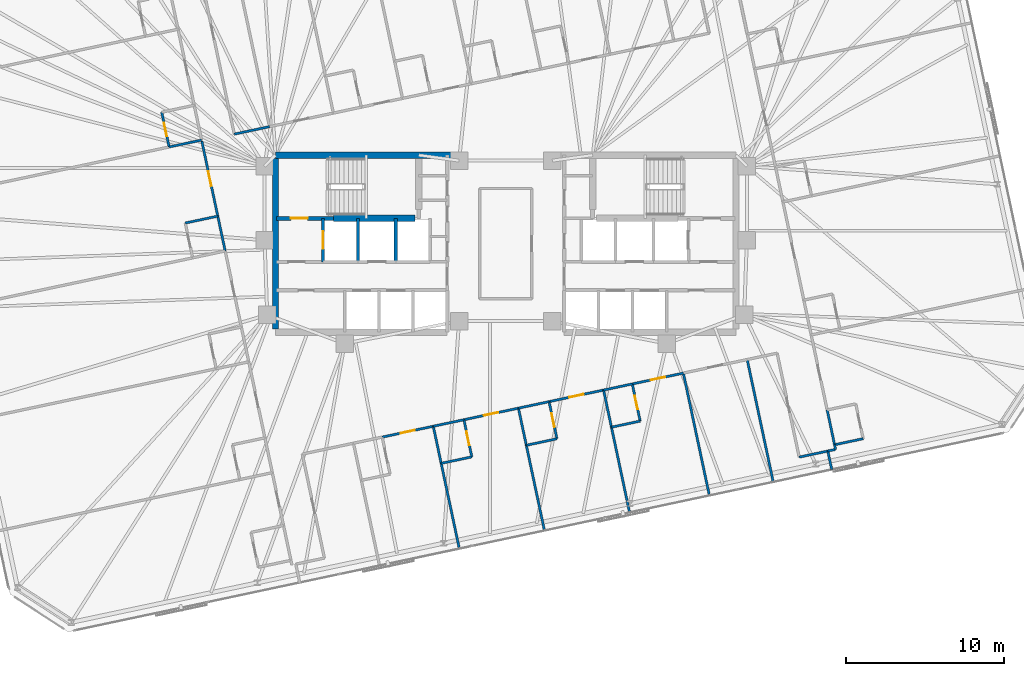
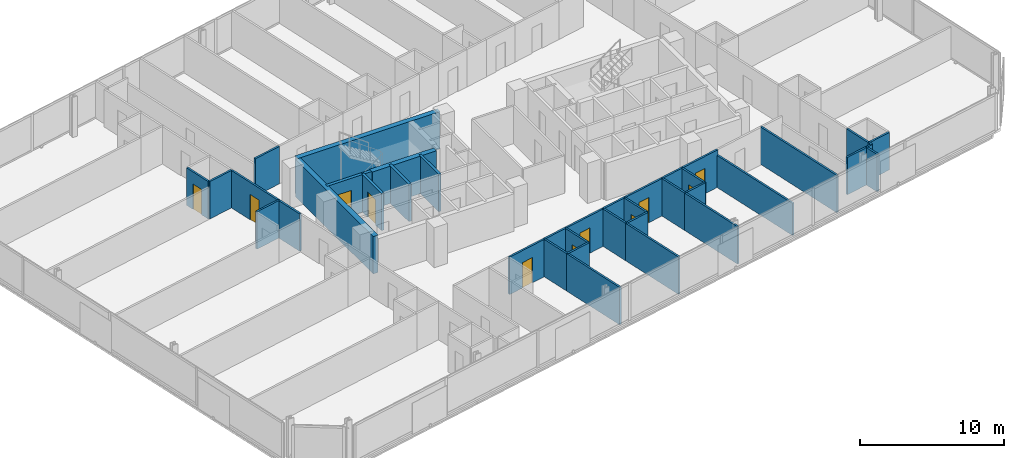
# One storey, part 15 of 21: 40 walls, 11 doors, 11 openings.
"""IFC4 building model written with IfcOpenShell, lengths in metres."""

from ifc_helpers import new_model, si_unit, direction, frame, frame_2d, origin, place, context, subcontext, project, spatial, rectangle, extrude, material, layer, layer_set, type_object, element, fill, save


model = new_model("IFC4")

# Units and contexts
model_context = context("Model", 3, precision=1e-05, world=origin(), true_north=direction((0.0, 1.0)))
body_context = subcontext(model_context, "Body", "Model", "MODEL_VIEW")
ifc_project = project(units=[si_unit("LENGTHUNIT", "METRE"), si_unit("AREAUNIT", "SQUARE_METRE"), si_unit("VOLUMEUNIT", "CUBIC_METRE"), si_unit("PLANEANGLEUNIT", "RADIAN"), si_unit("MASSUNIT", "GRAM", prefix="KILO")], contexts=[model_context])

# Site, building, storey
site_placement = place(None, origin())
site = spatial("IfcSite", under=ifc_project, at=site_placement, CompositionType="ELEMENT")
building_placement = place(site_placement, origin())
building = spatial("IfcBuilding", under=site, at=building_placement, Name="Menara Jurai Vektor", CompositionType="ELEMENT")
storey_placement = place(building_placement, frame((0.0, 0.0, 165.0)))
storey = spatial("IfcBuildingStorey", under=building, at=storey_placement, Name="L42", CompositionType="ELEMENT", Elevation=165.0)

# Wall, opening, door
ifc_material_1 = material(Name="Concrete C40/50", Category="concrete")
ifc_layer_1 = layer(ifc_material_1, 0.25)
ifc_layer_set_1 = layer_set([ifc_layer_1], Name="Concrete C40/50")
wall_type_1 = type_object("IfcWallType", Name="INT-WALL-CORE-250", PredefinedType="STANDARD", material=ifc_layer_set_1)
wall_1_placement = place(storey_placement, frame((-14.5, 1.60009765625, 0.0), z_axis=(0.0, 0.0, 1.0), x_axis=(1.0, 0.0, 0.0)))
wall_1 = element("IfcWall", 1, at=wall_1_placement, inside=storey, type_object=wall_type_1, Name="Interior Wall IW-250 L42", PredefinedType="STANDARD", context=body_context, shape_type="SweptSolid", body=[
    extrude(rectangle(XDim=3.60009765625, YDim=0.25, at=frame_2d((1.800048828125, 0.0))), origin(), (0.0, 0.0, 1.0), 3.175048828125),
])
opening_1_placement = place(wall_1_placement, frame((0.919921875, 0.0, 0.0)))
opening_1 = element("IfcOpeningElement", 2, at=opening_1_placement, cuts=wall_1, Name="Opening D-L42-ST1", PredefinedType="OPENING", context=body_context, shape_type="SweptSolid", body=[
    extrude(rectangle(XDim=1.050048828125, YDim=2.14990234375, at=frame_2d((0.52490234375, 1.074951171875))), frame((0.0, 0.135009765625, 0.0), z_axis=(0.0, -1.0, 0.0), x_axis=(1.0, 0.0, 0.0)), (0.0, 0.0, 1.0), 0.27001953125),
])
ifc_material_2 = material(Name="Fire-Rated Steel Door", Category="steel")
door_type_1 = type_object("IfcDoorType", Name="DR-STAIR-1050", OperationType="NOTDEFINED", PredefinedType="DOOR", material=ifc_material_2)
door_1_placement = place(opening_1_placement, origin())
door_1 = element("IfcDoor", 3, at=door_1_placement, inside=storey, type_object=door_type_1, Name="Exit Stair ST1 Door L42", OperationType="SINGLE_SWING_RIGHT", OverallHeight=2.14990234375, OverallWidth=1.050048828125, PredefinedType="DOOR", context=body_context, shape_type="SweptSolid", body=[
    extrude(rectangle(XDim=1.050048828125, YDim=2.14990234375, at=frame_2d((0.52490234375, 1.074951171875))), frame((0.0, 0.02490234375, 0.0), z_axis=(0.0, -1.0, 0.0), x_axis=(1.0, 0.0, 0.0)), (0.0, 0.0, 1.0), 0.050048828125),
])
fill(opening_1, door_1)

wall_2_placement = place(storey_placement, frame((-11.550048828125, -1.14990234375, 0.0), z_axis=(0.0, 0.0, 1.0), x_axis=(0.0, 1.0, 0.0)))
wall_2 = element("IfcWall", 4, at=wall_2_placement, inside=storey, type_object=wall_type_1, Name="Interior Wall IW-250 L42", PredefinedType="STANDARD", context=body_context, shape_type="SweptSolid", body=[
    extrude(rectangle(XDim=2.75, YDim=0.199951171875, at=frame_2d((1.375, 0.0))), origin(), (0.0, 0.0, 1.0), 3.175048828125),
])
opening_2_placement = place(wall_2_placement, frame((0.824951171875, 0.0, 0.0)))
opening_2 = element("IfcOpeningElement", 5, at=opening_2_placement, cuts=wall_2, Name="Opening LD-L42-FL1", PredefinedType="OPENING", context=body_context, shape_type="SweptSolid", body=[
    extrude(rectangle(XDim=1.10009765625, YDim=2.14990234375, at=frame_2d((0.550048828125, 1.074951171875))), frame((0.0, 0.10986328125, 0.0), z_axis=(0.0, -1.0, 0.0), x_axis=(1.0, 0.0, 0.0)), (0.0, 0.0, 1.0), 0.219970703125),
])
ifc_material_3 = material(Name="Stainless Steel Sliding Lift Landing Door", Category="steel")
door_type_2 = type_object("IfcDoorType", Name="DR-LIFT-FIRE-1100", OperationType="NOTDEFINED", PredefinedType="DOOR", material=ifc_material_3)
door_2_placement = place(opening_2_placement, origin())
door_2 = element("IfcDoor", 6, at=door_2_placement, inside=storey, type_object=door_type_2, Name="Lift Landing Door FL1 L42", OperationType="SLIDING_TO_RIGHT", OverallHeight=2.14990234375, OverallWidth=1.10009765625, PredefinedType="DOOR", context=body_context, shape_type="SweptSolid", body=[
    extrude(rectangle(XDim=1.10009765625, YDim=2.14990234375, at=frame_2d((0.550048828125, 1.074951171875))), frame((0.0, 0.02490234375, 0.0), z_axis=(0.0, -1.0, 0.0), x_axis=(1.0, 0.0, 0.0)), (0.0, 0.0, 1.0), 0.050048828125),
])
fill(opening_2, door_2)

# Walls
wall_3_placement = place(storey_placement, frame((-9.35009765625, -1.14990234375, 0.0), z_axis=(0.0, 0.0, 1.0), x_axis=(0.0, 1.0, 0.0)))
element("IfcWall", 7, at=wall_3_placement, inside=storey, type_object=wall_type_1, Name="Interior Wall IW-250 L42", PredefinedType="STANDARD", context=body_context, shape_type="SweptSolid", body=[
    extrude(rectangle(XDim=2.75, YDim=0.199951171875, at=frame_2d((1.375, 0.0))), origin(), (0.0, 0.0, 1.0), 3.175048828125),
])
ifc_material_4 = material(Name="Gypsum Fireboard Partition", Category="gypsum")
ifc_layer_2 = layer(ifc_material_4, 0.14990234375)
ifc_layer_set_2 = layer_set([ifc_layer_2], Name="Gypsum Fireboard Partition")
wall_type_2 = type_object("IfcWallType", Name="INT-WALL-CORR-150", PredefinedType="PARTITIONING", material=ifc_layer_set_2)
wall_4_placement = place(storey_placement, frame((-17.162353515625, 6.92578125, 0.0), z_axis=(0.0, 0.0, 1.0), x_axis=(0.978124500572, 0.208020338863, 0.0)))
element("IfcWall", 8, at=wall_4_placement, inside=storey, type_object=wall_type_2, Name="Interior Wall IW-150 L42", PredefinedType="PARTITIONING", context=body_context, shape_type="SweptSolid", body=[
    extrude(rectangle(XDim=2.27685546875, YDim=0.14990234375, at=frame_2d((1.138427734375, 0.0))), origin(), (0.0, 0.0, 1.0), 3.175048828125),
])

# Wall, opening, door
wall_5_placement = place(storey_placement, frame((-7.80859375, -12.23291015625, 0.0), z_axis=(0.0, 0.0, 1.0), x_axis=(0.97814625873, 0.20791800435, 0.0)))
wall_5 = element("IfcWall", 9, at=wall_5_placement, inside=storey, type_object=wall_type_2, Name="Interior Wall IW-150 L42", PredefinedType="PARTITIONING", context=body_context, shape_type="SweptSolid", body=[
    extrude(rectangle(XDim=3.302001953125, YDim=0.14990234375, at=frame_2d((1.65087890625, 0.0))), origin(), (0.0, 0.0, 1.0), 3.175048828125),
])
opening_3_placement = place(wall_5_placement, frame((1.19091796875, 0.0, 0.0)))
opening_3 = element("IfcOpeningElement", 10, at=opening_3_placement, cuts=wall_5, Name="Opening D42-22", PredefinedType="OPENING", context=body_context, shape_type="SweptSolid", body=[
    extrude(rectangle(XDim=0.919921875, YDim=2.14990234375, at=frame_2d((0.4599609375, 1.074951171875))), frame((0.0, 0.0849609375, 0.0), z_axis=(0.0, -1.0, 0.0), x_axis=(1.0, 0.0, 0.0)), (0.0, 0.0, 1.0), 0.169921875),
])
ifc_material_5 = material(Name="Solid Core Timber Fire Door", Category="wood")
door_type_3 = type_object("IfcDoorType", Name="DR-ENTRY-950", OperationType="NOTDEFINED", PredefinedType="DOOR", material=ifc_material_5)
door_3_placement = place(opening_3_placement, origin())
door_3 = element("IfcDoor", 11, at=door_3_placement, inside=storey, type_object=door_type_3, Name="Interior Door D42-22", OperationType="SINGLE_SWING_LEFT", OverallHeight=2.14990234375, OverallWidth=0.919921875, PredefinedType="DOOR", context=body_context, shape_type="SweptSolid", body=[
    extrude(rectangle(XDim=0.919921875, YDim=2.14990234375, at=frame_2d((0.4599609375, 1.074951171875))), frame((0.0, 0.02490234375, 0.0), z_axis=(0.0, -1.0, 0.0), x_axis=(1.0, 0.0, 0.0)), (0.0, 0.0, 1.0), 0.050048828125),
])
fill(opening_3, door_3)

wall_6_placement = place(storey_placement, frame((-2.64111328125, -11.134521484375, 0.0), z_axis=(0.0, 0.0, 1.0), x_axis=(0.978150924733, 0.207896052016, 0.0)))
wall_6 = element("IfcWall", 12, at=wall_6_placement, inside=storey, type_object=wall_type_2, Name="Interior Wall IW-150 L42", PredefinedType="PARTITIONING", context=body_context, shape_type="SweptSolid", body=[
    extrude(rectangle(XDim=3.52294921875, YDim=0.14990234375, at=frame_2d((1.761474609375, 0.0))), origin(), (0.0, 0.0, 1.0), 3.175048828125),
])
opening_4_placement = place(wall_6_placement, frame((1.301513671875, 0.0, 0.0)))
opening_4 = element("IfcOpeningElement", 13, at=opening_4_placement, cuts=wall_6, Name="Opening D42-24", PredefinedType="OPENING", context=body_context, shape_type="SweptSolid", body=[
    extrude(rectangle(XDim=0.919921875, YDim=2.14990234375, at=frame_2d((0.4599609375, 1.074951171875))), frame((0.0, 0.0849609375, 0.0), z_axis=(0.0, -1.0, 0.0), x_axis=(1.0, 0.0, 0.0)), (0.0, 0.0, 1.0), 0.169921875),
])
door_4_placement = place(opening_4_placement, origin())
door_4 = element("IfcDoor", 14, at=door_4_placement, inside=storey, type_object=door_type_3, Name="Interior Door D42-24", OperationType="SINGLE_SWING_LEFT", OverallHeight=2.14990234375, OverallWidth=0.919921875, PredefinedType="DOOR", context=body_context, shape_type="SweptSolid", body=[
    extrude(rectangle(XDim=0.919921875, YDim=2.14990234375, at=frame_2d((0.4599609375, 1.074951171875))), frame((0.0, 0.02490234375, 0.0), z_axis=(0.0, -1.0, 0.0), x_axis=(1.0, 0.0, 0.0)), (0.0, 0.0, 1.0), 0.050048828125),
])
fill(opening_4, door_4)

# Wall
wall_7_placement = place(storey_placement, frame((-4.578857421875, -11.54638671875, 0.0), z_axis=(0.0, 0.0, 1.0), x_axis=(0.978149140323, 0.20790444749, 0.0)))
element("IfcWall", 15, at=wall_7_placement, inside=storey, type_object=wall_type_2, Name="Interior Wall IW-150 L42", PredefinedType="PARTITIONING", context=body_context, shape_type="SweptSolid", body=[
    extrude(rectangle(XDim=1.98095703125, YDim=0.14990234375, at=frame_2d((0.990478515625, 0.0))), origin(), (0.0, 0.0, 1.0), 3.175048828125),
])

# Wall, opening, door
wall_8_placement = place(storey_placement, frame((2.74267578125, -9.990234375, 0.0), z_axis=(0.0, 0.0, 1.0), x_axis=(0.978153036861, 0.207886114205, 0.0)))
wall_8 = element("IfcWall", 16, at=wall_8_placement, inside=storey, type_object=wall_type_2, Name="Interior Wall IW-150 L42", PredefinedType="PARTITIONING", context=body_context, shape_type="SweptSolid", body=[
    extrude(rectangle(XDim=3.52197265625, YDim=0.14990234375, at=frame_2d((1.760986328125, 0.0))), origin(), (0.0, 0.0, 1.0), 3.175048828125),
])
opening_5_placement = place(wall_8_placement, frame((1.301025390625, 0.0, 0.0)))
opening_5 = element("IfcOpeningElement", 17, at=opening_5_placement, cuts=wall_8, Name="Opening D42-26", PredefinedType="OPENING", context=body_context, shape_type="SweptSolid", body=[
    extrude(rectangle(XDim=0.919921875, YDim=2.14990234375, at=frame_2d((0.4599609375, 1.074951171875))), frame((0.0, 0.0849609375, 0.0), z_axis=(0.0, -1.0, 0.0), x_axis=(1.0, 0.0, 0.0)), (0.0, 0.0, 1.0), 0.169921875),
])
door_5_placement = place(opening_5_placement, origin())
door_5 = element("IfcDoor", 18, at=door_5_placement, inside=storey, type_object=door_type_3, Name="Interior Door D42-26", OperationType="SINGLE_SWING_LEFT", OverallHeight=2.14990234375, OverallWidth=0.919921875, PredefinedType="DOOR", context=body_context, shape_type="SweptSolid", body=[
    extrude(rectangle(XDim=0.919921875, YDim=2.14990234375, at=frame_2d((0.4599609375, 1.074951171875))), frame((0.0, 0.02490234375, 0.0), z_axis=(0.0, -1.0, 0.0), x_axis=(1.0, 0.0, 0.0)), (0.0, 0.0, 1.0), 0.050048828125),
])
fill(opening_5, door_5)

# Wall
wall_9_placement = place(storey_placement, frame((0.804931640625, -10.402099609375, 0.0), z_axis=(0.0, 0.0, 1.0), x_axis=(0.978149140323, 0.20790444749, 0.0)))
element("IfcWall", 19, at=wall_9_placement, inside=storey, type_object=wall_type_2, Name="Interior Wall IW-150 L42", PredefinedType="PARTITIONING", context=body_context, shape_type="SweptSolid", body=[
    extrude(rectangle(XDim=1.98095703125, YDim=0.14990234375, at=frame_2d((0.990478515625, 0.0))), origin(), (0.0, 0.0, 1.0), 3.175048828125),
])

# Wall, opening, door
wall_10_placement = place(storey_placement, frame((8.004150390625, -8.871826171875, 0.0), z_axis=(0.0, 0.0, 1.0), x_axis=(0.97814625873, 0.20791800435, 0.0)))
wall_10 = element("IfcWall", 20, at=wall_10_placement, inside=storey, type_object=wall_type_2, Name="Interior Wall IW-150 L42", PredefinedType="PARTITIONING", context=body_context, shape_type="SweptSolid", body=[
    extrude(rectangle(XDim=3.302001953125, YDim=0.14990234375, at=frame_2d((1.65087890625, 0.0))), origin(), (0.0, 0.0, 1.0), 3.175048828125),
])
opening_6_placement = place(wall_10_placement, frame((1.19091796875, 0.0, 0.0)))
opening_6 = element("IfcOpeningElement", 21, at=opening_6_placement, cuts=wall_10, Name="Opening D42-28", PredefinedType="OPENING", context=body_context, shape_type="SweptSolid", body=[
    extrude(rectangle(XDim=0.919921875, YDim=2.14990234375, at=frame_2d((0.4599609375, 1.074951171875))), frame((0.0, 0.0849609375, 0.0), z_axis=(0.0, -1.0, 0.0), x_axis=(1.0, 0.0, 0.0)), (0.0, 0.0, 1.0), 0.169921875),
])
door_6_placement = place(opening_6_placement, origin())
door_6 = element("IfcDoor", 22, at=door_6_placement, inside=storey, type_object=door_type_3, Name="Interior Door D42-28", OperationType="SINGLE_SWING_LEFT", OverallHeight=2.14990234375, OverallWidth=0.919921875, PredefinedType="DOOR", context=body_context, shape_type="SweptSolid", body=[
    extrude(rectangle(XDim=0.919921875, YDim=2.14990234375, at=frame_2d((0.4599609375, 1.074951171875))), frame((0.0, 0.02490234375, 0.0), z_axis=(0.0, -1.0, 0.0), x_axis=(1.0, 0.0, 0.0)), (0.0, 0.0, 1.0), 0.050048828125),
])
fill(opening_6, door_6)

# Walls
wall_11_placement = place(storey_placement, frame((6.187744140625, -9.258056640625, 0.0), z_axis=(0.0, 0.0, 1.0), x_axis=(0.978132112624, 0.207984543303, 0.0)))
element("IfcWall", 23, at=wall_11_placement, inside=storey, type_object=wall_type_2, Name="Interior Wall IW-150 L42", PredefinedType="PARTITIONING", context=body_context, shape_type="SweptSolid", body=[
    extrude(rectangle(XDim=1.85693359375, YDim=0.14990234375, at=frame_2d((0.928466796875, 0.0))), origin(), (0.0, 0.0, 1.0), 3.175048828125),
])
wall_12_placement = place(storey_placement, frame((18.5595703125, -13.498291015625, 0.0), z_axis=(0.0, 0.0, 1.0), x_axis=(0.978160192495, 0.207852442415, 0.0)))
element("IfcWall", 24, at=wall_12_placement, inside=storey, type_object=wall_type_2, Name="Interior Wall IW-150 L42", PredefinedType="PARTITIONING", context=body_context, shape_type="SweptSolid", body=[
    extrude(rectangle(XDim=1.849853515625, YDim=0.14990234375, at=frame_2d((0.9248046875, 0.0))), origin(), (0.0, 0.0, 1.0), 3.175048828125),
])

# Wall, opening, door
wall_13_placement = place(storey_placement, frame((-18.20703125, 1.740478515625, 0.0), z_axis=(0.0, 0.0, 1.0), x_axis=(-0.20793874598, 0.97814184959, 0.0)))
wall_13 = element("IfcWall", 25, at=wall_13_placement, inside=storey, type_object=wall_type_2, Name="Interior Wall IW-150 L42", PredefinedType="PARTITIONING", context=body_context, shape_type="SweptSolid", body=[
    extrude(rectangle(XDim=4.85498046875, YDim=0.14990234375, at=frame_2d((2.427490234375, 0.0))), origin(), (0.0, 0.0, 1.0), 3.175048828125),
])
opening_7_placement = place(wall_13_placement, frame((1.952392578125, 0.0, 0.0)))
opening_7 = element("IfcOpeningElement", 26, at=opening_7_placement, cuts=wall_13, Name="Opening D42-38", PredefinedType="OPENING", context=body_context, shape_type="SweptSolid", body=[
    extrude(rectangle(XDim=0.949951171875, YDim=2.14990234375, at=frame_2d((0.47509765625, 1.074951171875))), frame((0.0, 0.0849609375, 0.0), z_axis=(0.0, -1.0, 0.0), x_axis=(1.0, 0.0, 0.0)), (0.0, 0.0, 1.0), 0.169921875),
])
door_7_placement = place(opening_7_placement, origin())
door_7 = element("IfcDoor", 27, at=door_7_placement, inside=storey, type_object=door_type_3, Name="Interior Door D42-38", OperationType="SINGLE_SWING_LEFT", OverallHeight=2.14990234375, OverallWidth=0.949951171875, PredefinedType="DOOR", context=body_context, shape_type="SweptSolid", body=[
    extrude(rectangle(XDim=0.949951171875, YDim=2.14990234375, at=frame_2d((0.47509765625, 1.074951171875))), frame((0.0, 0.02490234375, 0.0), z_axis=(0.0, -1.0, 0.0), x_axis=(1.0, 0.0, 0.0)), (0.0, 0.0, 1.0), 0.050048828125),
])
fill(opening_7, door_7)

# Walls
wall_14_placement = place(storey_placement, frame((-17.7392578125, -0.46044921875, 0.0), z_axis=(0.0, 0.0, 1.0), x_axis=(-0.207891197838, 0.978151956427, 0.0)))
element("IfcWall", 28, at=wall_14_placement, inside=storey, type_object=wall_type_2, Name="Interior Wall IW-150 L42", PredefinedType="PARTITIONING", context=body_context, shape_type="SweptSolid", body=[
    extrude(rectangle(XDim=2.25, YDim=0.14990234375, at=frame_2d((1.125, 0.0))), origin(), (0.0, 0.0, 1.0), 3.175048828125),
])
wall_15_placement = place(storey_placement, frame((20.369140625, -13.11376953125, 0.0), z_axis=(0.0, 0.0, 1.0), x_axis=(0.978143962546, 0.207928806409, 0.0)))
element("IfcWall", 29, at=wall_15_placement, inside=storey, type_object=wall_type_2, Name="Interior Wall IW-150 L42", PredefinedType="PARTITIONING", context=body_context, shape_type="SweptSolid", body=[
    extrude(rectangle(XDim=0.500244140625, YDim=0.14990234375, at=frame_2d((0.25, 0.0))), origin(), (0.0, 0.0, 1.0), 3.175048828125),
])
wall_16_placement = place(storey_placement, frame((20.8583984375, -13.009765625, 0.0), z_axis=(0.0, 0.0, 1.0), x_axis=(-0.208306395052, 0.978063620518, 0.0)))
element("IfcWall", 30, at=wall_16_placement, inside=storey, type_object=wall_type_2, Name="Interior Wall IW-150 L42", PredefinedType="PARTITIONING", context=body_context, shape_type="SweptSolid", body=[
    extrude(rectangle(XDim=0.300048828125, YDim=0.14990234375, at=frame_2d((0.14990234375, 0.0))), origin(), (0.0, 0.0, 1.0), 3.175048828125),
])
wall_17_placement = place(storey_placement, frame((20.7958984375, -12.71630859375, 0.0), z_axis=(0.0, 0.0, 1.0), x_axis=(-0.207891197838, 0.978151956427, 0.0)))
element("IfcWall", 31, at=wall_17_placement, inside=storey, type_object=wall_type_2, Name="Interior Wall IW-150 L42", PredefinedType="PARTITIONING", context=body_context, shape_type="SweptSolid", body=[
    extrude(rectangle(XDim=2.25, YDim=0.14990234375, at=frame_2d((1.125, 0.0))), origin(), (0.0, 0.0, 1.0), 3.175048828125),
])
wall_18_placement = place(storey_placement, frame((-2.93212890625, -19.29345703125, 0.0), z_axis=(0.0, 0.0, 1.0), x_axis=(-0.20791588359, 0.978146709523, 0.0)))
element("IfcWall", 32, at=wall_18_placement, inside=storey, type_object=wall_type_2, Name="Interior Wall IW-150 L42", PredefinedType="PARTITIONING", context=body_context, shape_type="SweptSolid", body=[
    extrude(rectangle(XDim=5.52001953125, YDim=0.14990234375, at=frame_2d((2.760009765625, 0.0))), origin(), (0.0, 0.0, 1.0), 3.175048828125),
])
wall_19_placement = place(storey_placement, frame((-4.079833984375, -13.89404296875, 0.0), z_axis=(0.0, 0.0, 1.0), x_axis=(-0.207917150959, 0.978146440129, 0.0)))
element("IfcWall", 33, at=wall_19_placement, inside=storey, type_object=wall_type_2, Name="Interior Wall IW-150 L42", PredefinedType="PARTITIONING", context=body_context, shape_type="SweptSolid", body=[
    extrude(rectangle(XDim=2.400146484375, YDim=0.14990234375, at=frame_2d((1.2001953125, 0.0))), origin(), (0.0, 0.0, 1.0), 3.175048828125),
])
wall_20_placement = place(storey_placement, frame((-4.079833984375, -13.89404296875, 0.0), z_axis=(0.0, 0.0, 1.0), x_axis=(0.978149140323, 0.20790444749, 0.0)))
element("IfcWall", 34, at=wall_20_placement, inside=storey, type_object=wall_type_2, Name="Interior Wall IW-150 L42", PredefinedType="PARTITIONING", context=body_context, shape_type="SweptSolid", body=[
    extrude(rectangle(XDim=1.98095703125, YDim=0.14990234375, at=frame_2d((0.990478515625, 0.0))), origin(), (0.0, 0.0, 1.0), 3.175048828125),
])

# Wall, opening, door
wall_21_placement = place(storey_placement, frame((-2.14208984375, -13.482177734375, 0.0), z_axis=(0.0, 0.0, 1.0), x_axis=(-0.207917150959, 0.978146440129, 0.0)))
wall_21 = element("IfcWall", 35, at=wall_21_placement, inside=storey, type_object=wall_type_2, Name="Interior Wall IW-150 L42", PredefinedType="PARTITIONING", context=body_context, shape_type="SweptSolid", body=[
    extrude(rectangle(XDim=2.400146484375, YDim=0.14990234375, at=frame_2d((1.2001953125, 0.0))), origin(), (0.0, 0.0, 1.0), 3.175048828125),
])
opening_8_placement = place(wall_21_placement, frame((0.760009765625, 0.0, 0.0)))
opening_8 = element("IfcOpeningElement", 36, at=opening_8_placement, cuts=wall_21, Name="Opening D42-25", PredefinedType="OPENING", context=body_context, shape_type="SweptSolid", body=[
    extrude(rectangle(XDim=0.8798828125, YDim=2.14990234375, at=frame_2d((0.43994140625, 1.074951171875))), frame((0.0, 0.0849609375, 0.0), z_axis=(0.0, -1.0, 0.0), x_axis=(1.0, 0.0, 0.0)), (0.0, 0.0, 1.0), 0.169921875),
])
ifc_material_6 = material(Name="Moisture-Resistant Timber Door", Category="wood")
door_type_4 = type_object("IfcDoorType", Name="DR-BATH-880", OperationType="NOTDEFINED", PredefinedType="DOOR", material=ifc_material_6)
door_8_placement = place(opening_8_placement, origin())
door_8 = element("IfcDoor", 37, at=door_8_placement, inside=storey, type_object=door_type_4, Name="Interior Door D42-25", OperationType="SINGLE_SWING_RIGHT", OverallHeight=2.14990234375, OverallWidth=0.8798828125, PredefinedType="DOOR", context=body_context, shape_type="SweptSolid", body=[
    extrude(rectangle(XDim=0.8798828125, YDim=2.14990234375, at=frame_2d((0.43994140625, 1.074951171875))), frame((0.0, 0.02490234375, 0.0), z_axis=(0.0, -1.0, 0.0), x_axis=(1.0, 0.0, 0.0)), (0.0, 0.0, 1.0), 0.050048828125),
])
fill(opening_8, door_8)

# Walls
wall_22_placement = place(storey_placement, frame((2.45166015625, -18.149169921875, 0.0), z_axis=(0.0, 0.0, 1.0), x_axis=(-0.20791588359, 0.978146709523, 0.0)))
element("IfcWall", 38, at=wall_22_placement, inside=storey, type_object=wall_type_2, Name="Interior Wall IW-150 L42", PredefinedType="PARTITIONING", context=body_context, shape_type="SweptSolid", body=[
    extrude(rectangle(XDim=5.52001953125, YDim=0.14990234375, at=frame_2d((2.760009765625, 0.0))), origin(), (0.0, 0.0, 1.0), 3.175048828125),
])
wall_23_placement = place(storey_placement, frame((1.303955078125, -12.749755859375, 0.0), z_axis=(0.0, 0.0, 1.0), x_axis=(-0.207917150959, 0.978146440129, 0.0)))
element("IfcWall", 39, at=wall_23_placement, inside=storey, type_object=wall_type_2, Name="Interior Wall IW-150 L42", PredefinedType="PARTITIONING", context=body_context, shape_type="SweptSolid", body=[
    extrude(rectangle(XDim=2.400146484375, YDim=0.14990234375, at=frame_2d((1.2001953125, 0.0))), origin(), (0.0, 0.0, 1.0), 3.175048828125),
])
wall_24_placement = place(storey_placement, frame((1.303955078125, -12.749755859375, 0.0), z_axis=(0.0, 0.0, 1.0), x_axis=(0.978149140323, 0.20790444749, 0.0)))
element("IfcWall", 40, at=wall_24_placement, inside=storey, type_object=wall_type_2, Name="Interior Wall IW-150 L42", PredefinedType="PARTITIONING", context=body_context, shape_type="SweptSolid", body=[
    extrude(rectangle(XDim=1.98095703125, YDim=0.14990234375, at=frame_2d((0.990478515625, 0.0))), origin(), (0.0, 0.0, 1.0), 3.175048828125),
])

# Wall, opening, door
wall_25_placement = place(storey_placement, frame((3.24169921875, -12.337890625, 0.0), z_axis=(0.0, 0.0, 1.0), x_axis=(-0.207917150959, 0.978146440129, 0.0)))
wall_25 = element("IfcWall", 41, at=wall_25_placement, inside=storey, type_object=wall_type_2, Name="Interior Wall IW-150 L42", PredefinedType="PARTITIONING", context=body_context, shape_type="SweptSolid", body=[
    extrude(rectangle(XDim=2.400146484375, YDim=0.14990234375, at=frame_2d((1.2001953125, 0.0))), origin(), (0.0, 0.0, 1.0), 3.175048828125),
])
opening_9_placement = place(wall_25_placement, frame((0.760009765625, 0.0, 0.0)))
opening_9 = element("IfcOpeningElement", 42, at=opening_9_placement, cuts=wall_25, Name="Opening D42-27", PredefinedType="OPENING", context=body_context, shape_type="SweptSolid", body=[
    extrude(rectangle(XDim=0.8798828125, YDim=2.14990234375, at=frame_2d((0.43994140625, 1.074951171875))), frame((0.0, 0.0849609375, 0.0), z_axis=(0.0, -1.0, 0.0), x_axis=(1.0, 0.0, 0.0)), (0.0, 0.0, 1.0), 0.169921875),
])
door_9_placement = place(opening_9_placement, origin())
door_9 = element("IfcDoor", 43, at=door_9_placement, inside=storey, type_object=door_type_4, Name="Interior Door D42-27", OperationType="SINGLE_SWING_RIGHT", OverallHeight=2.14990234375, OverallWidth=0.8798828125, PredefinedType="DOOR", context=body_context, shape_type="SweptSolid", body=[
    extrude(rectangle(XDim=0.8798828125, YDim=2.14990234375, at=frame_2d((0.43994140625, 1.074951171875))), frame((0.0, 0.02490234375, 0.0), z_axis=(0.0, -1.0, 0.0), x_axis=(1.0, 0.0, 0.0)), (0.0, 0.0, 1.0), 0.050048828125),
])
fill(opening_9, door_9)

# Walls
wall_26_placement = place(storey_placement, frame((7.834228515625, -17.0048828125, 0.0), z_axis=(0.0, 0.0, 1.0), x_axis=(-0.207882560392, 0.978153792144, 0.0)))
element("IfcWall", 44, at=wall_26_placement, inside=storey, type_object=wall_type_2, Name="Interior Wall IW-150 L42", PredefinedType="PARTITIONING", context=body_context, shape_type="SweptSolid", body=[
    extrude(rectangle(XDim=5.519775390625, YDim=0.14990234375, at=frame_2d((2.759765625, 0.0))), origin(), (0.0, 0.0, 1.0), 3.175048828125),
])
wall_27_placement = place(storey_placement, frame((6.686767578125, -11.605712890625, 0.0), z_axis=(0.0, 0.0, 1.0), x_axis=(-0.207917150959, 0.978146440129, 0.0)))
element("IfcWall", 45, at=wall_27_placement, inside=storey, type_object=wall_type_2, Name="Interior Wall IW-150 L42", PredefinedType="PARTITIONING", context=body_context, shape_type="SweptSolid", body=[
    extrude(rectangle(XDim=2.400146484375, YDim=0.14990234375, at=frame_2d((1.2001953125, 0.0))), origin(), (0.0, 0.0, 1.0), 3.175048828125),
])
wall_28_placement = place(storey_placement, frame((6.686767578125, -11.605712890625, 0.0), z_axis=(0.0, 0.0, 1.0), x_axis=(0.978132112624, 0.207984543303, 0.0)))
element("IfcWall", 46, at=wall_28_placement, inside=storey, type_object=wall_type_2, Name="Interior Wall IW-150 L42", PredefinedType="PARTITIONING", context=body_context, shape_type="SweptSolid", body=[
    extrude(rectangle(XDim=1.85693359375, YDim=0.14990234375, at=frame_2d((0.928466796875, 0.0))), origin(), (0.0, 0.0, 1.0), 3.175048828125),
])

# Wall, opening, door
wall_29_placement = place(storey_placement, frame((8.503173828125, -11.219482421875, 0.0), z_axis=(0.0, 0.0, 1.0), x_axis=(-0.207917150959, 0.978146440129, 0.0)))
wall_29 = element("IfcWall", 47, at=wall_29_placement, inside=storey, type_object=wall_type_2, Name="Interior Wall IW-150 L42", PredefinedType="PARTITIONING", context=body_context, shape_type="SweptSolid", body=[
    extrude(rectangle(XDim=2.400146484375, YDim=0.14990234375, at=frame_2d((1.2001953125, 0.0))), origin(), (0.0, 0.0, 1.0), 3.175048828125),
])
opening_10_placement = place(wall_29_placement, frame((0.760009765625, 0.0, 0.0)))
opening_10 = element("IfcOpeningElement", 48, at=opening_10_placement, cuts=wall_29, Name="Opening D42-29", PredefinedType="OPENING", context=body_context, shape_type="SweptSolid", body=[
    extrude(rectangle(XDim=0.8798828125, YDim=2.14990234375, at=frame_2d((0.43994140625, 1.074951171875))), frame((0.0, 0.0849609375, 0.0), z_axis=(0.0, -1.0, 0.0), x_axis=(1.0, 0.0, 0.0)), (0.0, 0.0, 1.0), 0.169921875),
])
door_10_placement = place(opening_10_placement, origin())
door_10 = element("IfcDoor", 49, at=door_10_placement, inside=storey, type_object=door_type_4, Name="Interior Door D42-29", OperationType="SINGLE_SWING_RIGHT", OverallHeight=2.14990234375, OverallWidth=0.8798828125, PredefinedType="DOOR", context=body_context, shape_type="SweptSolid", body=[
    extrude(rectangle(XDim=0.8798828125, YDim=2.14990234375, at=frame_2d((0.43994140625, 1.074951171875))), frame((0.0, 0.02490234375, 0.0), z_axis=(0.0, -1.0, 0.0), x_axis=(1.0, 0.0, 0.0)), (0.0, 0.0, 1.0), 0.050048828125),
])
fill(opening_10, door_10)

# Walls
wall_30_placement = place(storey_placement, frame((16.91748046875, -15.07421875, 0.0), z_axis=(0.0, 0.0, 1.0), x_axis=(-0.207922536845, 0.978145295277, 0.0)))
element("IfcWall", 50, at=wall_30_placement, inside=storey, type_object=wall_type_2, Name="Interior Wall IW-150 L42", PredefinedType="PARTITIONING", context=body_context, shape_type="SweptSolid", body=[
    extrude(rectangle(XDim=7.919921875, YDim=0.14990234375, at=frame_2d((3.9599609375, 0.0))), origin(), (0.0, 0.0, 1.0), 3.175048828125),
])
wall_31_placement = place(storey_placement, frame((20.61865234375, -14.28759765625, 0.0), z_axis=(0.0, 0.0, 1.0), x_axis=(-0.207917150959, 0.978146440129, 0.0)))
element("IfcWall", 51, at=wall_31_placement, inside=storey, type_object=wall_type_2, Name="Interior Wall IW-150 L42", PredefinedType="PARTITIONING", context=body_context, shape_type="SweptSolid", body=[
    extrude(rectangle(XDim=1.199951171875, YDim=0.14990234375, at=frame_2d((0.60009765625, 0.0))), origin(), (0.0, 0.0, 1.0), 3.175048828125),
])
wall_32_placement = place(storey_placement, frame((-20.26123046875, 1.3037109375, 0.0), z_axis=(0.0, 0.0, 1.0), x_axis=(0.978134617382, 0.207972763311, 0.0)))
element("IfcWall", 52, at=wall_32_placement, inside=storey, type_object=wall_type_2, Name="Interior Wall IW-150 L42", PredefinedType="PARTITIONING", context=body_context, shape_type="SweptSolid", body=[
    extrude(rectangle(XDim=2.10009765625, YDim=0.14990234375, at=frame_2d((1.050048828125, 0.0))), origin(), (0.0, 0.0, 1.0), 3.175048828125),
])
wall_33_placement = place(storey_placement, frame((-21.283447265625, 6.11328125, 0.0), z_axis=(0.0, 0.0, 1.0), x_axis=(0.978153236239, 0.207885176084, 0.0)))
element("IfcWall", 53, at=wall_33_placement, inside=storey, type_object=wall_type_2, Name="Interior Wall IW-150 L42", PredefinedType="PARTITIONING", context=body_context, shape_type="SweptSolid", body=[
    extrude(rectangle(XDim=2.099853515625, YDim=0.14990234375, at=frame_2d((1.0498046875, 0.0))), origin(), (0.0, 0.0, 1.0), 3.175048828125),
])

# Wall, opening, door
wall_34_placement = place(storey_placement, frame((-21.283447265625, 6.11328125, 0.0), z_axis=(0.0, 0.0, 1.0), x_axis=(-0.207891197838, 0.978151956427, 0.0)))
wall_34 = element("IfcWall", 54, at=wall_34_placement, inside=storey, type_object=wall_type_2, Name="Interior Wall IW-150 L42", PredefinedType="PARTITIONING", context=body_context, shape_type="SweptSolid", body=[
    extrude(rectangle(XDim=2.25, YDim=0.14990234375, at=frame_2d((1.125, 0.0))), origin(), (0.0, 0.0, 1.0), 3.175048828125),
])
opening_11_placement = place(wall_34_placement, frame((0.68505859375, 0.0, 0.0)))
opening_11 = element("IfcOpeningElement", 55, at=opening_11_placement, cuts=wall_34, Name="Opening D42-41", PredefinedType="OPENING", context=body_context, shape_type="SweptSolid", body=[
    extrude(rectangle(XDim=0.8798828125, YDim=2.14990234375, at=frame_2d((0.43994140625, 1.074951171875))), frame((0.0, 0.0849609375, 0.0), z_axis=(0.0, -1.0, 0.0), x_axis=(1.0, 0.0, 0.0)), (0.0, 0.0, 1.0), 0.169921875),
])
door_11_placement = place(opening_11_placement, origin())
door_11 = element("IfcDoor", 56, at=door_11_placement, inside=storey, type_object=door_type_4, Name="Interior Door D42-41", OperationType="SINGLE_SWING_RIGHT", OverallHeight=2.14990234375, OverallWidth=0.8798828125, PredefinedType="DOOR", context=body_context, shape_type="SweptSolid", body=[
    extrude(rectangle(XDim=0.8798828125, YDim=2.14990234375, at=frame_2d((0.43994140625, 1.074951171875))), frame((0.0, 0.02490234375, 0.0), z_axis=(0.0, -1.0, 0.0), x_axis=(1.0, 0.0, 0.0)), (0.0, 0.0, 1.0), 0.050048828125),
])
fill(opening_11, door_11)

# Walls
wall_35_placement = place(storey_placement, frame((20.7958984375, -12.71630859375, 0.0), z_axis=(0.0, 0.0, 1.0), x_axis=(0.978160192495, 0.207852442415, 0.0)))
element("IfcWall", 57, at=wall_35_placement, inside=storey, type_object=wall_type_2, Name="Interior Wall IW-150 L42", PredefinedType="PARTITIONING", context=body_context, shape_type="SweptSolid", body=[
    extrude(rectangle(XDim=1.849853515625, YDim=0.14990234375, at=frame_2d((0.9248046875, 0.0))), origin(), (0.0, 0.0, 1.0), 3.175048828125),
])
ifc_layer_3 = layer(ifc_material_4, 0.14990234375)
ifc_layer_set_3 = layer_set([ifc_layer_3], Name="Gypsum Fireboard Partition")
wall_type_3 = type_object("IfcWallType", Name="INT-WALL-CORR-150-H1", PredefinedType="PARTITIONING", material=ifc_layer_set_3)
wall_36_placement = place(storey_placement, frame((12.880615234375, -15.932373046875, 0.0), z_axis=(0.0, 0.0, 1.0), x_axis=(-0.207916267651, 0.978146627887, 0.0)))
element("IfcWall", 58, at=wall_36_placement, inside=storey, type_object=wall_type_3, Name="Interior Wall IW-150 L42", PredefinedType="PARTITIONING", context=body_context, shape_type="SweptSolid", body=[
    extrude(rectangle(XDim=7.920166015625, YDim=0.14990234375, at=frame_2d((3.9599609375, 0.0))), origin(), (0.0, 0.0, 1.0), 2.72509765625),
])
ifc_layer_4 = layer(ifc_material_1, 0.199951171875)
ifc_layer_set_4 = layer_set([ifc_layer_4], Name="Concrete C40/50")
wall_type_4 = type_object("IfcWallType", Name="INT-WALL-SHAFT-200", PredefinedType="STANDARD", material=ifc_layer_set_4)
wall_37_placement = place(storey_placement, frame((-6.949951171875, -1.14990234375, 0.0), z_axis=(0.0, 0.0, 1.0), x_axis=(0.0, 1.0, 0.0)))
element("IfcWall", 59, at=wall_37_placement, inside=storey, type_object=wall_type_4, Name="Interior Wall IW-200 L42", PredefinedType="STANDARD", context=body_context, shape_type="SweptSolid", body=[
    extrude(rectangle(XDim=2.75, YDim=0.199951171875, at=frame_2d((1.375, 0.0))), origin(), (0.0, 0.0, 1.0), 3.175048828125),
])
ifc_material_7 = material(Name="Concrete C50/60", Category="concrete")
ifc_layer_5 = layer(ifc_material_7, 0.39990234375)
ifc_layer_set_5 = layer_set([ifc_layer_5], Name="Concrete C50/60")
wall_type_5 = type_object("IfcWallType", Name="STR-WALL-CORE400", PredefinedType="SHEAR", material=ifc_layer_set_5)
wall_38_placement = place(storey_placement, frame((-14.56005859375, 5.60009765625, 0.0), z_axis=(0.0, 0.0, 1.0), x_axis=(1.0, 0.0, 0.0)))
element("IfcWall", 60, at=wall_38_placement, inside=storey, type_object=wall_type_5, Name="Core Shear Wall CW-W-N L42", PredefinedType="SHEAR", context=body_context, shape_type="SweptSolid", body=[
    extrude(rectangle(XDim=11.41015625, YDim=0.39990234375, at=frame_2d((5.705078125, 0.0))), origin(), (0.0, 0.0, 1.0), 3.175048828125),
])
wall_39_placement = place(storey_placement, frame((-14.56005859375, -5.39990234375, 0.0), z_axis=(0.0, 0.0, 1.0), x_axis=(0.0, 1.0, 0.0)))
element("IfcWall", 61, at=wall_39_placement, inside=storey, type_object=wall_type_5, Name="Core Shear Wall CW-W-W L42", PredefinedType="SHEAR", context=body_context, shape_type="SweptSolid", body=[
    extrude(rectangle(XDim=10.7998046875, YDim=0.39990234375, at=frame_2d((5.39990234375, 0.0))), origin(), (0.0, 0.0, 1.0), 3.175048828125),
])
wall_40_placement = place(storey_placement, frame((-10.89990234375, 1.60009765625, 0.0), z_axis=(0.0, 0.0, 1.0), x_axis=(1.0, 0.0, 0.0)))
element("IfcWall", 62, at=wall_40_placement, inside=storey, type_object=wall_type_5, Name="Core Shear Wall CW-W-STS L42", PredefinedType="SHEAR", context=body_context, shape_type="SweptSolid", body=[
    extrude(rectangle(XDim=5.14990234375, YDim=0.39990234375, at=frame_2d((2.574951171875, 0.0))), origin(), (0.0, 0.0, 1.0), 3.175048828125),
])

save(model, "model.ifc")
